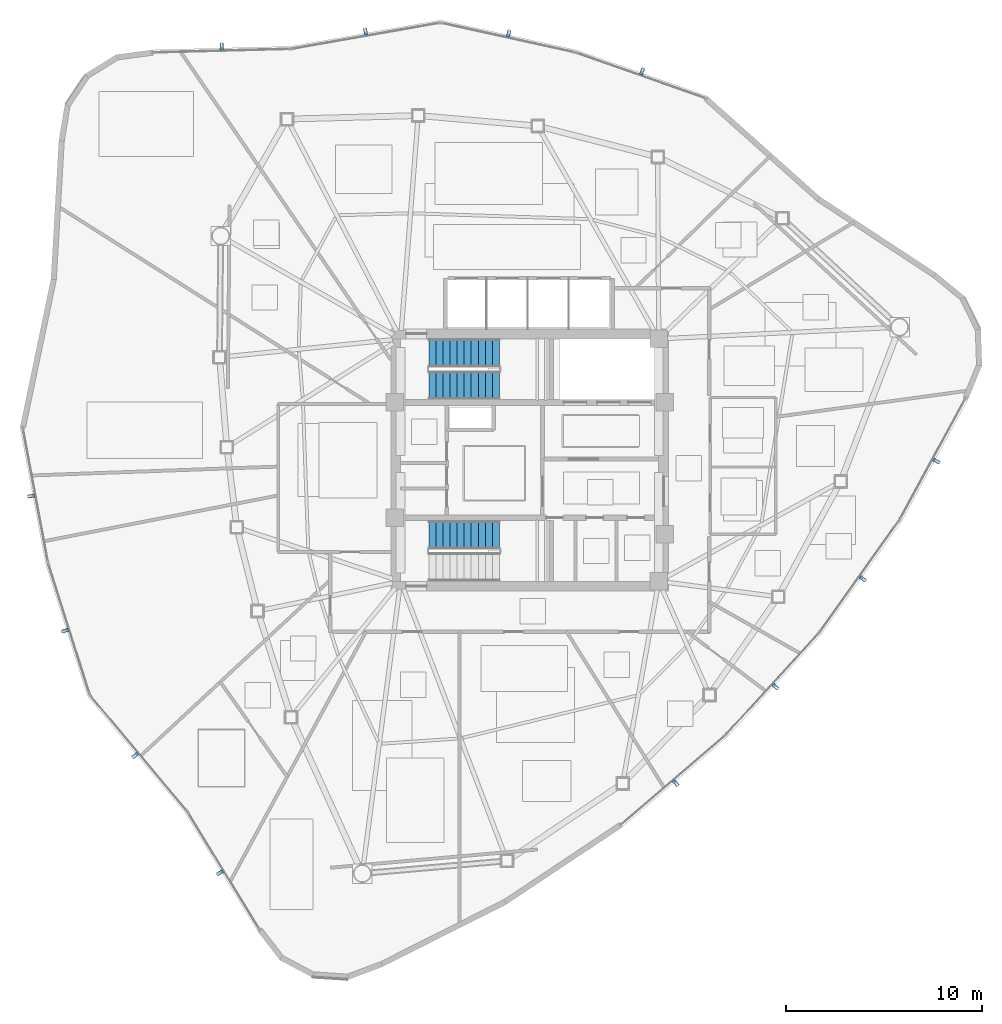
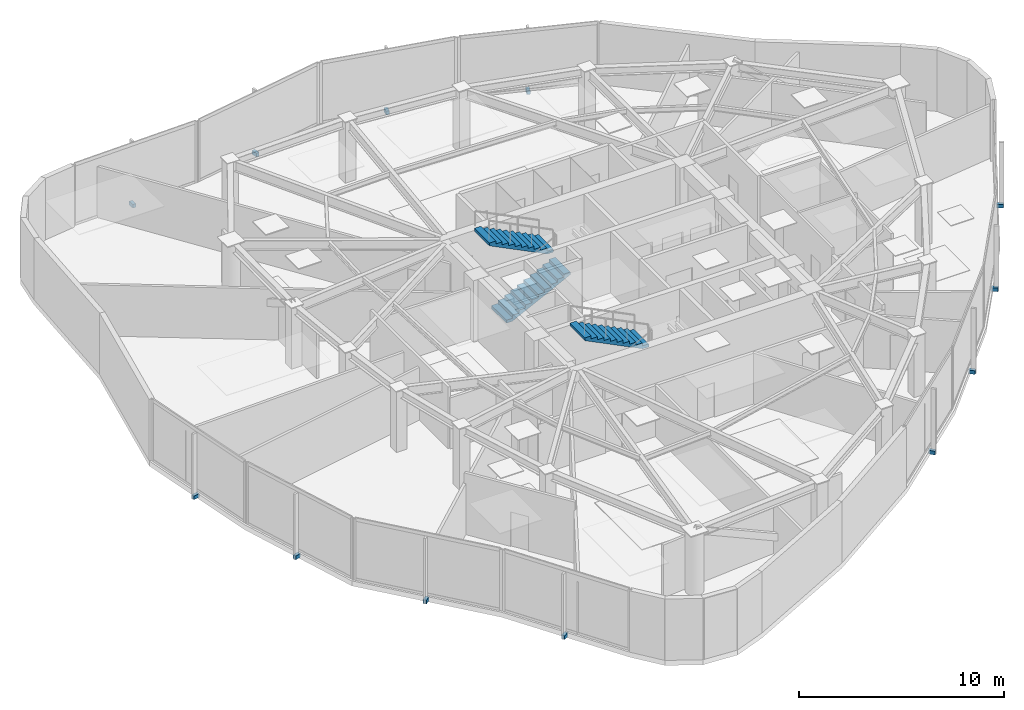
# One storey, part 10 of 13: 12 discrete accessories, 3 stair flights, 2 elements without a shape of their own.
"""IFC4 building model written with IfcOpenShell, lengths in metres."""

from ifc_helpers import new_model, si_unit, direction, frame, origin, origin_2d, place, context, subcontext, project, spatial, polyline, rectangle, outline, extrude, source, transform, mapped, material, type_object, type_shapes, element, aggregate, save


model = new_model("IFC4")

# Units and contexts
model_context = context("Model", 3, precision=1e-05, world=origin(), true_north=direction((0.0, 1.0)))
body_context = subcontext(model_context, "Body", "Model", "MODEL_VIEW")
ifc_project = project(units=[si_unit("LENGTHUNIT", "METRE"), si_unit("AREAUNIT", "SQUARE_METRE"), si_unit("VOLUMEUNIT", "CUBIC_METRE"), si_unit("PLANEANGLEUNIT", "RADIAN"), si_unit("MASSUNIT", "GRAM", prefix="KILO")], contexts=[model_context])

# Site, building, storey
site_placement = place(None, origin())
site = spatial("IfcSite", under=ifc_project, at=site_placement, CompositionType="ELEMENT")
building_placement = place(site_placement, origin())
building = spatial("IfcBuilding", under=site, at=building_placement, Name="Tavelor Broadcast Tower", CompositionType="ELEMENT")
storey_placement = place(building_placement, frame((0.0, 0.0, 226.10009765625)))
storey = spatial("IfcBuildingStorey", under=building, at=storey_placement, Name="L53", CompositionType="ELEMENT", Elevation=226.10009765625)

# Stair, stair flights
ifc_material_1 = material(Name="Concrete C40/50", Category="concrete")
stair_type = type_object("IfcStairType", Name="Reinforced Concrete Protected Dogleg Stair 1450 mm", PredefinedType="HALF_TURN_STAIR", material=ifc_material_1)
stair_1_placement = place(storey_placement, origin())
stair_1 = element("IfcStair", 1, at=stair_1_placement, inside=storey, type_object=stair_type, Name="L53 Protected Core Exit Stair ST1", PredefinedType="HALF_TURN_STAIR")
stair_flight_type = type_object("IfcStairFlightType", Name="Reinforced Concrete Stair Flight 1450 mm", PredefinedType="STRAIGHT", material=ifc_material_1)
stair_flight_1_placement = place(storey_placement, frame((44.85009765625, 48.824951171875, 0.0), z_axis=(0.0, 0.0, 1.0), x_axis=(1.0, 0.0, 0.0)))
stair_flight_1 = element("IfcStairFlight", 2, at=stair_flight_1_placement, type_object=stair_flight_type, Name="ST1 flight 1", NumberOfRisers=11, NumberOfTreads=10, PredefinedType="STRAIGHT", RiserHeight=0.179545455, TreadLength=0.36, context=body_context, shape_type="SweptSolid", body=[
    extrude(outline(polyline([(0.0, 0.0), (0.0, 0.179443359375), (0.360107421875, 0.179443359375), (0.360107421875, 0.359130859375), (0.719970703125, 0.359130859375), (0.719970703125, 0.53857421875), (1.080078125, 0.53857421875), (1.080078125, 0.71826171875), (1.43994140625, 0.71826171875), (1.43994140625, 0.897705078125), (1.800048828125, 0.897705078125), (1.800048828125, 1.077392578125), (2.159912109375, 1.077392578125), (2.159912109375, 1.2568359375), (2.52001953125, 1.2568359375), (2.52001953125, 1.436279296875), (2.8798828125, 1.436279296875), (2.8798828125, 1.615966796875), (3.239990234375, 1.615966796875), (3.239990234375, 1.79541015625), (3.60009765625, 1.79541015625), (3.60009765625, 1.97509765625), (3.60009765625, 1.6279296875), (0.3359375, 0.0), (0.0, 0.0)])), frame((0.0, 0.72509765625, 0.0), z_axis=(0.0, -1.0, 0.0), x_axis=(1.0, 0.0, 0.0)), (0.0, 0.0, 1.0), 1.449951171875),
])
stair_flight_2_placement = place(storey_placement, frame((48.449951171875, 50.47509765625, 1.974853515625), z_axis=(0.0, 0.0, 1.0), x_axis=(-1.0, 0.0, 0.0)))
stair_flight_2 = element("IfcStairFlight", 3, at=stair_flight_2_placement, type_object=stair_flight_type, Name="ST1 flight 2", NumberOfRisers=11, NumberOfTreads=10, PredefinedType="STRAIGHT", RiserHeight=0.179545455, TreadLength=0.36, context=body_context, shape_type="SweptSolid", body=[
    extrude(outline(polyline([(0.0, 0.0), (0.0, 0.179443359375), (0.360107421875, 0.179443359375), (0.360107421875, 0.359130859375), (0.719970703125, 0.359130859375), (0.719970703125, 0.53857421875), (1.080078125, 0.53857421875), (1.080078125, 0.71826171875), (1.43994140625, 0.71826171875), (1.43994140625, 0.897705078125), (1.800048828125, 0.897705078125), (1.800048828125, 1.077392578125), (2.159912109375, 1.077392578125), (2.159912109375, 1.2568359375), (2.52001953125, 1.2568359375), (2.52001953125, 1.436279296875), (2.8798828125, 1.436279296875), (2.8798828125, 1.615966796875), (3.239990234375, 1.615966796875), (3.239990234375, 1.79541015625), (3.60009765625, 1.79541015625), (3.60009765625, 1.97509765625), (3.60009765625, 1.6279296875), (0.3359375, 0.0), (0.0, 0.0)])), frame((0.0, 0.72509765625, 0.0), z_axis=(0.0, -1.0, 0.0), x_axis=(1.0, 0.0, 0.0)), (0.0, 0.0, 1.0), 1.449951171875),
])
aggregate(stair_1, [stair_flight_1, stair_flight_2])

# Stair, stair flight
stair_2_placement = place(storey_placement, origin())
stair_2 = element("IfcStair", 4, at=stair_2_placement, inside=storey, type_object=stair_type, Name="L53 Protected Core Exit Stair ST2", PredefinedType="HALF_TURN_STAIR")
stair_flight_3_placement = place(storey_placement, frame((48.449951171875, 41.175048828125, 1.974853515625), z_axis=(0.0, 0.0, 1.0), x_axis=(-1.0, 0.0, 0.0)))
stair_flight_3 = element("IfcStairFlight", 5, at=stair_flight_3_placement, type_object=stair_flight_type, Name="ST2 flight 2", NumberOfRisers=11, NumberOfTreads=10, PredefinedType="STRAIGHT", RiserHeight=0.179545455, TreadLength=0.36, context=body_context, shape_type="SweptSolid", body=[
    extrude(outline(polyline([(0.0, 0.0), (0.0, 0.179443359375), (0.360107421875, 0.179443359375), (0.360107421875, 0.359130859375), (0.719970703125, 0.359130859375), (0.719970703125, 0.53857421875), (1.080078125, 0.53857421875), (1.080078125, 0.71826171875), (1.43994140625, 0.71826171875), (1.43994140625, 0.897705078125), (1.800048828125, 0.897705078125), (1.800048828125, 1.077392578125), (2.159912109375, 1.077392578125), (2.159912109375, 1.2568359375), (2.52001953125, 1.2568359375), (2.52001953125, 1.436279296875), (2.8798828125, 1.436279296875), (2.8798828125, 1.615966796875), (3.239990234375, 1.615966796875), (3.239990234375, 1.79541015625), (3.60009765625, 1.79541015625), (3.60009765625, 1.97509765625), (3.60009765625, 1.6279296875), (0.3359375, 0.0), (0.0, 0.0)])), frame((0.0, 0.72509765625, 0.0), z_axis=(0.0, -1.0, 0.0), x_axis=(1.0, 0.0, 0.0)), (0.0, 0.0, 1.0), 1.449951171875),
])
aggregate(stair_2, [stair_flight_3])

# Discrete accessories
ifc_material_2 = material(Name="Steel S355", Category="steel")
discrete_accessory_type = type_object("IfcDiscreteAccessoryType", Name="Stainless Baguette Outrigger Support Bracket 260x180", PredefinedType="BRACKET", material=ifc_material_2)
shared_shape = source(origin(), body_context, "Body", "SweptSolid", [
    extrude(rectangle(XDim=0.179931640625, YDim=0.340087890625, at=origin_2d()), origin(), (0.0, 0.0, 1.0), 0.216064453125),
])
type_shapes(discrete_accessory_type, [shared_shape])
for number, where, z_axis, x_axis, name in (
    (6, (24.509521484375, 43.160888671875, -0.25830078125), (0.0, 0.0, 1.0), (0.184294448562, -0.982871078132, 0.0), "L53 Baguette Outrigger Bracket 541"),
    (7, (26.23876953125, 36.2763671875, -0.25830078125), (0.0, 0.0, 1.0), (0.302037146025, -0.953296156722, 0.0), "L53 Baguette Outrigger Bracket 542"),
    (8, (29.818359375, 29.88916015625, -0.25830078125), (0.0, 0.0, 1.0), (0.642252653177, -0.766493006809, 0.0), "L53 Baguette Outrigger Bracket 543"),
    (9, (34.157958984375, 23.8955078125, -0.25830078125), (0.0, 0.0, 1.0), (0.522200905326, -0.85282249881, 0.0), "L53 Baguette Outrigger Bracket 544"),
    (10, (57.476318359375, 28.4697265625, -0.25830078125), (0.0, 0.0, 1.0), (0.759044098026, 0.651039213298, 0.0), "L53 Baguette Outrigger Bracket 545"),
    (11, (62.57421875, 33.409912109375, -0.25830078125), (0.0, 0.0, 1.0), (0.674560116039, 0.738219919705, 0.0), "L53 Baguette Outrigger Bracket 546"),
    (12, (67.03662109375, 38.930419921875, -0.25830078125), (0.0, 0.0, 1.0), (0.58027660624, 0.814419462102, 0.0), "L53 Baguette Outrigger Bracket 547"),
    (13, (70.798095703125, 44.9501953125, -0.25830078125), (0.0, 0.0, 1.0), (0.477465496226, 0.878650499296, 0.0), "L53 Baguette Outrigger Bracket 548"),
    (14, (55.752685546875, 64.877197265625, -0.25830078125), (0.0, 0.0, 1.0), (-0.943338546589, 0.331831864835, 0.0), "L53 Baguette Outrigger Bracket 549"),
    (15, (48.92578125, 66.822021484375, -0.25830078125), (0.0, 0.0, 1.0), (-0.976597262064, 0.215076237017, 0.0), "L53 Baguette Outrigger Bracket 550"),
    (16, (41.6044921875, 66.91552734375, -0.25830078125), (0.0, 0.0, 1.0), (-0.984928742308, -0.172960609894, 0.0), "L53 Baguette Outrigger Bracket 551"),
    (17, (34.243896484375, 66.154296875, -0.25830078125), (0.0, 0.0, 1.0), (-0.999666401551, -0.025828000486, 0.0), "L53 Baguette Outrigger Bracket 552"),
):
    element("IfcDiscreteAccessory", number, at=place(storey_placement, frame(where, z_axis=z_axis, x_axis=x_axis)), inside=storey, type_object=discrete_accessory_type, Name=name, PredefinedType="BRACKET", context=body_context, shape_type="MappedRepresentation", body=[
        mapped(shared_shape, transform((0.0, 0.0, 0.0), scale=1.0)),
    ])

save(model, "model.ifc")
